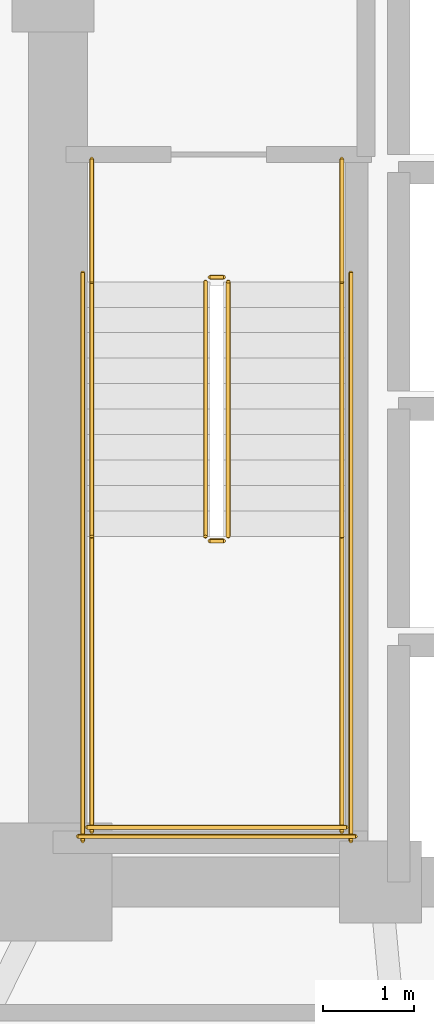
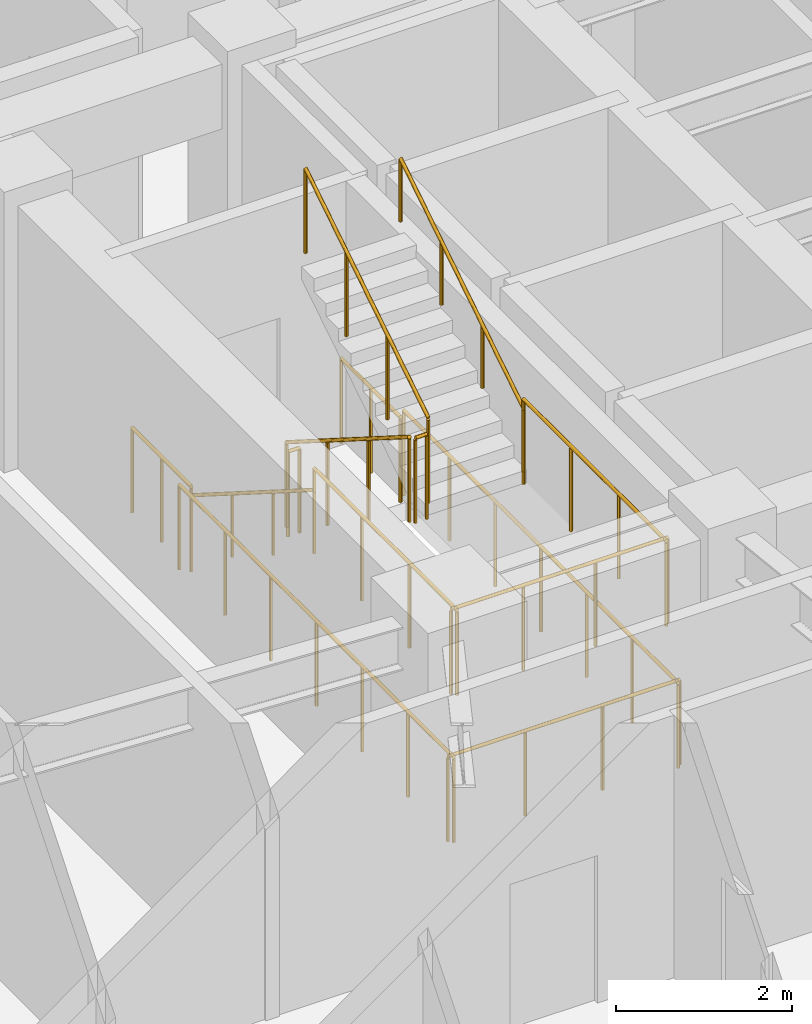
# One storey, part 15 of 16: 14 railings.
"""IFC4 building model written with IfcOpenShell, lengths in metres."""

from ifc_helpers import new_model, si_unit, direction, frame, origin, origin_2d, place, context, subcontext, project, spatial, circle, extrude, material, type_object, element, save


model = new_model("IFC4")

# Units and contexts
model_context = context("Model", 3, precision=1e-05, world=origin(), true_north=direction((0.0, 1.0)))
body_context = subcontext(model_context, "Body", "Model", "MODEL_VIEW")
ifc_project = project(units=[si_unit("LENGTHUNIT", "METRE"), si_unit("AREAUNIT", "SQUARE_METRE"), si_unit("VOLUMEUNIT", "CUBIC_METRE"), si_unit("PLANEANGLEUNIT", "RADIAN"), si_unit("MASSUNIT", "GRAM", prefix="KILO")], contexts=[model_context])

# Site, building, storey
site_placement = place(None, origin())
site = spatial("IfcSite", under=ifc_project, at=site_placement, CompositionType="ELEMENT")
building_placement = place(site_placement, origin())
building = spatial("IfcBuilding", under=site, at=building_placement, Name="Voryun Gate Residences", CompositionType="ELEMENT")
storey_placement = place(building_placement, frame((0.0, 0.0, 93.60009765625)))
storey = spatial("IfcBuildingStorey", under=building, at=storey_placement, Name="L22", CompositionType="ELEMENT", Elevation=93.60009765625)

# Railings
ifc_material_1 = material(Name="Painted steel", Category="steel")
railing_type_1 = type_object("IfcRailingType", Name="RAIL_STAIR_GUARD_1200", PredefinedType="GUARDRAIL", material=ifc_material_1)
railing_1_placement = place(storey_placement, frame((-17.52490234375, -0.800048828125, 0.17724609375)))
element("IfcRailing", 1, at=railing_1_placement, inside=storey, type_object=railing_type_1, Name="L22 ST-W1 stair guard 1", PredefinedType="GUARDRAIL", context=body_context, shape_type="SweptSolid", body=[
    extrude(circle(Radius=0.02392578125, at=origin_2d()), frame((0.0, 0.0, 1.17578125), z_axis=(0.0, -0.844908973607, 0.534910110503), x_axis=(1.0, 0.0, 0.0)), (0.0, 0.0, 1.0), 3.31396484375),
    extrude(circle(Radius=0.02099609375, at=origin_2d()), origin(), (0.0, 0.0, 1.0), 1.15185546875),
    extrude(circle(Radius=0.02099609375, at=origin_2d()), frame((0.0, -0.933349609375, 0.5908203125)), (0.0, 0.0, 1.0), 1.15185546875),
    extrude(circle(Radius=0.02099609375, at=origin_2d()), frame((0.0, -1.86669921875, 1.181884765625)), (0.0, 0.0, 1.0), 1.15185546875),
    extrude(circle(Radius=0.02099609375, at=origin_2d()), frame((0.0, -2.800048828125, 1.772705078125)), (0.0, 0.0, 1.0), 1.15185546875),
])
railing_2_placement = place(storey_placement, frame((-17.47509765625, -3.64990234375, 1.949951171875)))
element("IfcRailing", 2, at=railing_2_placement, inside=storey, type_object=railing_type_1, Name="L22 ST-W1 stair guard 2", PredefinedType="GUARDRAIL", context=body_context, shape_type="SweptSolid", body=[
    extrude(circle(Radius=0.02392578125, at=origin_2d()), frame((0.0, 0.0, 1.17578125), z_axis=(1.0, 0.0, 0.0), x_axis=(0.0, 1.0, 0.0)), (0.0, 0.0, 1.0), 0.150146484375),
    extrude(circle(Radius=0.02099609375, at=origin_2d()), origin(), (0.0, 0.0, 1.0), 1.15185546875),
    extrude(circle(Radius=0.02099609375, at=origin_2d()), frame((0.150146484375, 0.0, 0.0)), (0.0, 0.0, 1.0), 1.15185546875),
])
for number, where, name in (
    (3, (-18.77490234375, -3.60009765625, 1.949951171875), "L22 ST-W1 stair guard 3"),
    (4, (-16.02490234375, -3.60009765625, 1.949951171875), "L22 ST-W1 stair guard 4"),
):
    element("IfcRailing", number, at=place(storey_placement, frame(where)), inside=storey, type_object=railing_type_1, Name=name, PredefinedType="GUARDRAIL", context=body_context, shape_type="SweptSolid", body=[
        extrude(circle(Radius=0.02392578125, at=origin_2d()), frame((0.0, 0.0, 1.17578125), z_axis=(0.0, -1.0, 0.0), x_axis=(1.0, 0.0, 0.0)), (0.0, 0.0, 1.0), 3.25),
        extrude(circle(Radius=0.02099609375, at=origin_2d()), origin(), (0.0, 0.0, 1.0), 1.15185546875),
        extrude(circle(Radius=0.02099609375, at=origin_2d()), frame((0.0, -1.083251953125, 0.0)), (0.0, 0.0, 1.0), 1.15185546875),
        extrude(circle(Radius=0.02099609375, at=origin_2d()), frame((0.0, -2.166748046875, 0.0)), (0.0, 0.0, 1.0), 1.15185546875),
        extrude(circle(Radius=0.02099609375, at=origin_2d()), frame((0.0, -3.25, 0.0)), (0.0, 0.0, 1.0), 1.15185546875),
    ])
railing_3_placement = place(storey_placement, frame((-18.824951171875, -6.800048828125, 1.949951171875)))
element("IfcRailing", 5, at=railing_3_placement, inside=storey, type_object=railing_type_1, Name="L22 ST-W1 stair guard 5", PredefinedType="GUARDRAIL", context=body_context, shape_type="SweptSolid", body=[
    extrude(circle(Radius=0.02392578125, at=origin_2d()), frame((0.0, 0.0, 1.17578125), z_axis=(1.0, 0.0, 0.0), x_axis=(0.0, 1.0, 0.0)), (0.0, 0.0, 1.0), 2.849853515625),
    extrude(circle(Radius=0.02099609375, at=origin_2d()), origin(), (0.0, 0.0, 1.0), 1.15185546875),
    extrude(circle(Radius=0.02099609375, at=origin_2d()), frame((0.949951171875, 0.0, 0.0)), (0.0, 0.0, 1.0), 1.15185546875),
    extrude(circle(Radius=0.02099609375, at=origin_2d()), frame((1.89990234375, 0.0, 0.0)), (0.0, 0.0, 1.0), 1.15185546875),
    extrude(circle(Radius=0.02099609375, at=origin_2d()), frame((2.849853515625, 0.0, 0.0)), (0.0, 0.0, 1.0), 1.15185546875),
])
railing_4_placement = place(storey_placement, frame((-17.27490234375, -3.60009765625, 2.127197265625)))
element("IfcRailing", 6, at=railing_4_placement, inside=storey, type_object=railing_type_1, Name="L22 ST-W1 stair guard 6", PredefinedType="GUARDRAIL", context=body_context, shape_type="SweptSolid", body=[
    extrude(circle(Radius=0.02392578125, at=origin_2d()), frame((0.0, 0.0, 1.17578125), z_axis=(0.0, 0.844908973607, 0.534910110503), x_axis=(-1.0, 0.0, 0.0)), (0.0, 0.0, 1.0), 3.31396484375),
    extrude(circle(Radius=0.02099609375, at=origin_2d()), origin(), (0.0, 0.0, 1.0), 1.15185546875),
    extrude(circle(Radius=0.02099609375, at=origin_2d()), frame((0.0, 0.933349609375, 0.5908203125)), (0.0, 0.0, 1.0), 1.15185546875),
    extrude(circle(Radius=0.02099609375, at=origin_2d()), frame((0.0, 1.86669921875, 1.181884765625)), (0.0, 0.0, 1.0), 1.15185546875),
    extrude(circle(Radius=0.02099609375, at=origin_2d()), frame((0.0, 2.800048828125, 1.772705078125)), (0.0, 0.0, 1.0), 1.15185546875),
])
railing_5_placement = place(storey_placement, frame((-17.47509765625, -0.75, 0.0)))
element("IfcRailing", 7, at=railing_5_placement, inside=storey, type_object=railing_type_1, Name="L22 ST-W1 stair guard 7", PredefinedType="GUARDRAIL", context=body_context, shape_type="SweptSolid", body=[
    extrude(circle(Radius=0.02392578125, at=origin_2d()), frame((0.0, 0.0, 1.17578125), z_axis=(1.0, 0.0, 0.0), x_axis=(0.0, 1.0, 0.0)), (0.0, 0.0, 1.0), 0.150146484375),
    extrude(circle(Radius=0.02099609375, at=origin_2d()), origin(), (0.0, 0.0, 1.0), 1.15185546875),
    extrude(circle(Radius=0.02099609375, at=origin_2d()), frame((0.150146484375, 0.0, 0.0)), (0.0, 0.0, 1.0), 1.15185546875),
])
for number, where, name in (
    (8, (-18.77490234375, 0.550048828125, 0.0), "L22 ST-W1 stair guard 8"),
    (9, (-16.02490234375, 0.550048828125, 0.0), "L22 ST-W1 stair guard 9"),
):
    element("IfcRailing", number, at=place(storey_placement, frame(where)), inside=storey, type_object=railing_type_1, Name=name, PredefinedType="GUARDRAIL", context=body_context, shape_type="SweptSolid", body=[
        extrude(circle(Radius=0.02392578125, at=origin_2d()), frame((0.0, 0.0, 1.17578125), z_axis=(0.0, -1.0, 0.0), x_axis=(1.0, 0.0, 0.0)), (0.0, 0.0, 1.0), 1.35009765625),
        extrude(circle(Radius=0.02099609375, at=origin_2d()), origin(), (0.0, 0.0, 1.0), 1.15185546875),
        extrude(circle(Radius=0.02099609375, at=origin_2d()), frame((0.0, -0.675048828125, 0.0)), (0.0, 0.0, 1.0), 1.15185546875),
        extrude(circle(Radius=0.02099609375, at=origin_2d()), frame((0.0, -1.35009765625, 0.0)), (0.0, 0.0, 1.0), 1.15185546875),
    ])
for number, where, name in (
    (10, (-18.875, -0.699951171875, 0.0), "L22 ST-W1 stair guard 10"),
    (11, (-15.925048828125, -0.699951171875, 0.0), "L22 ST-W1 stair guard 11"),
):
    element("IfcRailing", number, at=place(storey_placement, frame(where)), inside=storey, type_object=railing_type_1, Name=name, PredefinedType="GUARDRAIL", context=body_context, shape_type="SweptSolid", body=[
        extrude(circle(Radius=0.02392578125, at=origin_2d()), frame((0.0, 0.0, 1.17578125), z_axis=(0.0, -1.0, 0.0), x_axis=(1.0, 0.0, 0.0)), (0.0, 0.0, 1.0), 6.25),
        extrude(circle(Radius=0.02099609375, at=origin_2d()), origin(), (0.0, 0.0, 1.0), 1.15185546875),
        extrude(circle(Radius=0.02099609375, at=origin_2d()), frame((0.0, -1.041748046875, 0.0)), (0.0, 0.0, 1.0), 1.15185546875),
        extrude(circle(Radius=0.02099609375, at=origin_2d()), frame((0.0, -2.083251953125, 0.0)), (0.0, 0.0, 1.0), 1.15185546875),
        extrude(circle(Radius=0.02099609375, at=origin_2d()), frame((0.0, -3.125, 0.0)), (0.0, 0.0, 1.0), 1.15185546875),
        extrude(circle(Radius=0.02099609375, at=origin_2d()), frame((0.0, -4.166748046875, 0.0)), (0.0, 0.0, 1.0), 1.15185546875),
        extrude(circle(Radius=0.02099609375, at=origin_2d()), frame((0.0, -5.208251953125, 0.0)), (0.0, 0.0, 1.0), 1.15185546875),
        extrude(circle(Radius=0.02099609375, at=origin_2d()), frame((0.0, -6.25, 0.0)), (0.0, 0.0, 1.0), 1.15185546875),
    ])
railing_6_placement = place(storey_placement, frame((-18.925048828125, -6.89990234375, 0.0)))
element("IfcRailing", 12, at=railing_6_placement, inside=storey, type_object=railing_type_1, Name="L22 ST-W1 stair guard 12", PredefinedType="GUARDRAIL", context=body_context, shape_type="SweptSolid", body=[
    extrude(circle(Radius=0.02392578125, at=origin_2d()), frame((0.0, 0.0, 1.17578125), z_axis=(1.0, 0.0, 0.0), x_axis=(0.0, 1.0, 0.0)), (0.0, 0.0, 1.0), 3.050048828125),
    extrude(circle(Radius=0.02099609375, at=origin_2d()), origin(), (0.0, 0.0, 1.0), 1.15185546875),
    extrude(circle(Radius=0.02099609375, at=origin_2d()), frame((1.0166015625, 0.0, 0.0)), (0.0, 0.0, 1.0), 1.15185546875),
    extrude(circle(Radius=0.02099609375, at=origin_2d()), frame((2.033447265625, 0.0, 0.0)), (0.0, 0.0, 1.0), 1.15185546875),
    extrude(circle(Radius=0.02099609375, at=origin_2d()), frame((3.050048828125, 0.0, 0.0)), (0.0, 0.0, 1.0), 1.15185546875),
])
ifc_material_2 = material(Name="Painted steel", Category="steel")
railing_type_2 = type_object("IfcRailingType", Name="RAIL_STAIR_HANDRAIL_900", PredefinedType="HANDRAIL", material=ifc_material_2)
railing_7_placement = place(storey_placement, frame((-18.77490234375, -0.800048828125, 0.17724609375)))
element("IfcRailing", 13, at=railing_7_placement, inside=storey, type_object=railing_type_2, Name="L22 ST-W1 stair handrail 1", PredefinedType="HANDRAIL", context=body_context, shape_type="SweptSolid", body=[
    extrude(circle(Radius=0.02392578125, at=origin_2d()), frame((0.0, 0.0, 0.8759765625), z_axis=(0.0, -0.844908973607, 0.534910110503), x_axis=(1.0, 0.0, 0.0)), (0.0, 0.0, 1.0), 3.31396484375),
    extrude(circle(Radius=0.02099609375, at=origin_2d()), origin(), (0.0, 0.0, 1.0), 0.851806640625),
    extrude(circle(Radius=0.02099609375, at=origin_2d()), frame((0.0, -0.933349609375, 0.5908203125)), (0.0, 0.0, 1.0), 0.851806640625),
    extrude(circle(Radius=0.02099609375, at=origin_2d()), frame((0.0, -1.86669921875, 1.181884765625)), (0.0, 0.0, 1.0), 0.851806640625),
    extrude(circle(Radius=0.02099609375, at=origin_2d()), frame((0.0, -2.800048828125, 1.772705078125)), (0.0, 0.0, 1.0), 0.851806640625),
])
railing_8_placement = place(storey_placement, frame((-16.02490234375, -3.60009765625, 2.127197265625)))
element("IfcRailing", 14, at=railing_8_placement, inside=storey, type_object=railing_type_2, Name="L22 ST-W1 stair handrail 2", PredefinedType="HANDRAIL", context=body_context, shape_type="SweptSolid", body=[
    extrude(circle(Radius=0.02392578125, at=origin_2d()), frame((0.0, 0.0, 0.8759765625), z_axis=(0.0, 0.844908973607, 0.534910110503), x_axis=(-1.0, 0.0, 0.0)), (0.0, 0.0, 1.0), 3.31396484375),
    extrude(circle(Radius=0.02099609375, at=origin_2d()), origin(), (0.0, 0.0, 1.0), 0.851806640625),
    extrude(circle(Radius=0.02099609375, at=origin_2d()), frame((0.0, 0.933349609375, 0.5908203125)), (0.0, 0.0, 1.0), 0.851806640625),
    extrude(circle(Radius=0.02099609375, at=origin_2d()), frame((0.0, 1.86669921875, 1.181884765625)), (0.0, 0.0, 1.0), 0.851806640625),
    extrude(circle(Radius=0.02099609375, at=origin_2d()), frame((0.0, 2.800048828125, 1.772705078125)), (0.0, 0.0, 1.0), 0.851806640625),
])

save(model, "model.ifc")
